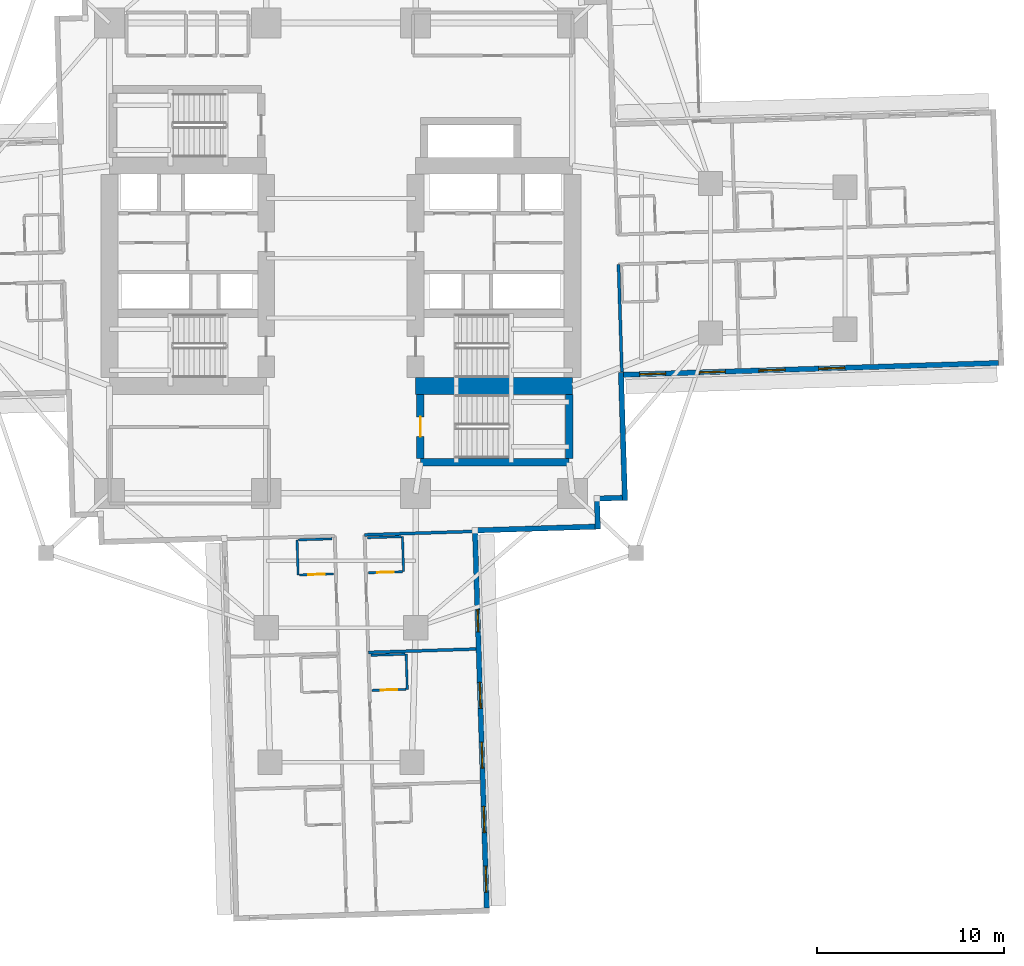
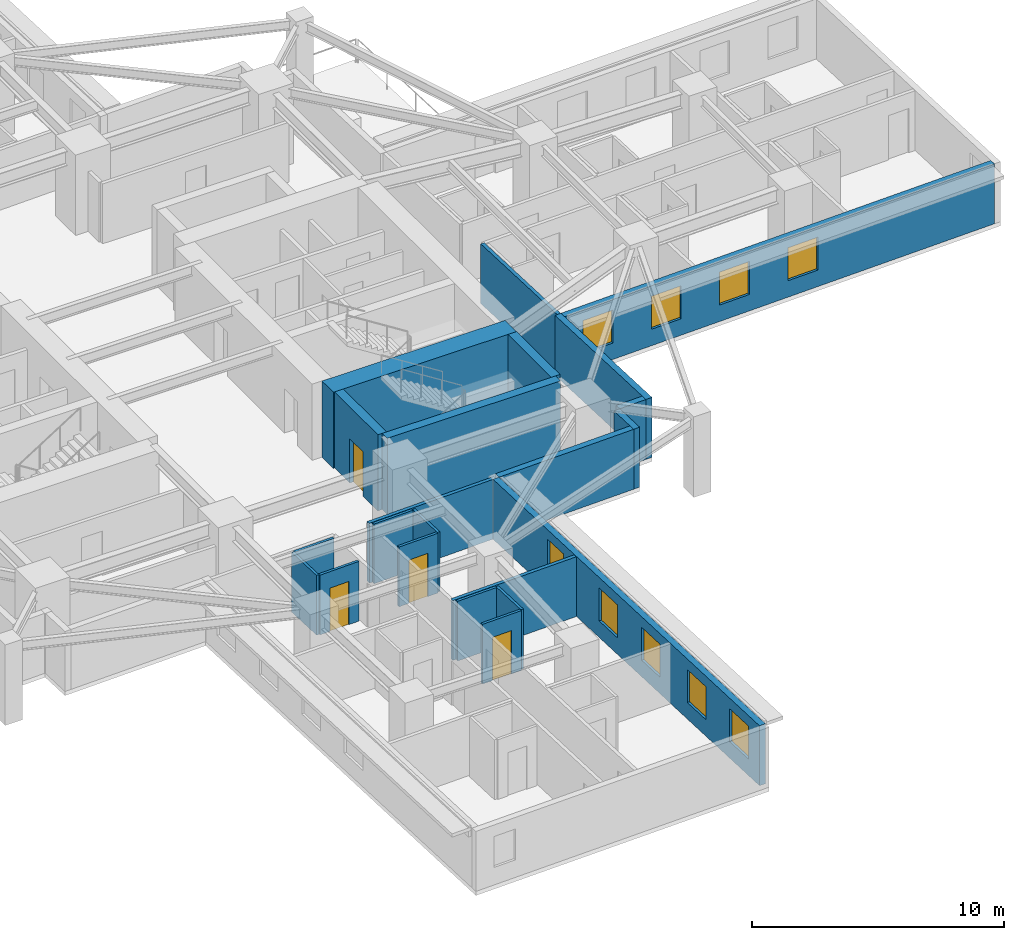
# One storey, part 4 of 15: 22 walls, 9 windows, 4 doors, 13 openings.
"""IFC4 building model written with IfcOpenShell, lengths in metres."""

from ifc_helpers import new_model, si_unit, direction, frame, frame_2d, origin, place, context, subcontext, project, spatial, rectangle, extrude, material, layer, layer_set, type_object, element, fill, save


model = new_model("IFC4")

# Units and contexts
model_context = context("Model", 3, precision=1e-05, world=origin(), true_north=direction((0.0, 1.0)))
body_context = subcontext(model_context, "Body", "Model", "MODEL_VIEW")
ifc_project = project(units=[si_unit("LENGTHUNIT", "METRE"), si_unit("AREAUNIT", "SQUARE_METRE"), si_unit("VOLUMEUNIT", "CUBIC_METRE"), si_unit("PLANEANGLEUNIT", "RADIAN"), si_unit("MASSUNIT", "GRAM", prefix="KILO")], contexts=[model_context])

# Site, building, storey
site_placement = place(None, origin())
site = spatial("IfcSite", under=ifc_project, at=site_placement, CompositionType="ELEMENT")
building_placement = place(site_placement, origin())
building = spatial("IfcBuilding", under=site, at=building_placement, Name="Qingluan Cross Belvedere", CompositionType="ELEMENT")
storey_placement = place(building_placement, frame((0.0, 0.0, 31.5)))
storey = spatial("IfcBuildingStorey", under=building, at=storey_placement, Name="L08", CompositionType="ELEMENT", Elevation=31.5)

# Wall
ifc_material_1 = material(Name="Concrete C50", Category="concrete")
ifc_layer_1 = layer(ifc_material_1, 0.449951171875, Name="CoreShearWall_450")
ifc_layer_set_1 = layer_set([ifc_layer_1], Name="Concrete C50")
wall_type_1 = type_object("IfcWallType", Name="CoreShearWall_450", PredefinedType="SHEAR", material=ifc_layer_set_1)
wall_1_placement = place(storey_placement, frame((4.260009765625, -10.93994140625, 0.0), z_axis=(0.0, 0.0, 1.0), x_axis=(1.0, 0.0, 0.0)))
element("IfcWall", 1, at=wall_1_placement, inside=storey, type_object=wall_type_1, Name="Stair ST4 structural wall S L08", PredefinedType="SHEAR", context=body_context, shape_type="SweptSolid", body=[
    extrude(rectangle(XDim=7.9599609375, YDim=0.39990234375, at=frame_2d((3.97998046875, 0.0))), origin(), (0.0, 0.0, 1.0), 3.699951171875),
])

# Wall, opening, door
wall_2_placement = place(storey_placement, frame((4.260009765625, -10.735107421875, 0.0), z_axis=(0.0, 0.0, 1.0), x_axis=(0.0, 1.0, 0.0)))
wall_2 = element("IfcWall", 2, at=wall_2_placement, inside=storey, type_object=wall_type_1, Name="Stair ST4 structural wall W L08", PredefinedType="SHEAR", context=body_context, shape_type="SweptSolid", body=[
    extrude(rectangle(XDim=3.43017578125, YDim=0.39990234375, at=frame_2d((1.715087890625, 0.0))), origin(), (0.0, 0.0, 1.0), 3.699951171875),
])
opening_1_placement = place(wall_2_placement, frame((1.18505859375, 0.0, 0.0)))
opening_1 = element("IfcOpeningElement", 3, at=opening_1_placement, cuts=wall_2, Name="Opening FD-B11", PredefinedType="OPENING", context=body_context, shape_type="SweptSolid", body=[
    extrude(rectangle(XDim=1.050048828125, YDim=2.14990234375, at=frame_2d((0.52490234375, 1.074951171875))), frame((0.0, 0.2099609375, 0.0), z_axis=(0.0, -1.0, 0.0), x_axis=(1.0, 0.0, 0.0)), (0.0, 0.0, 1.0), 0.419921875),
])
ifc_material_2 = material(Name="Steel Class B smoke-seal fire door", Category="steel")
door_type_1 = type_object("IfcDoorType", Name="StairLobbyFireDoor_FDB", OperationType="NOTDEFINED", PredefinedType="DOOR", material=ifc_material_2)
door_1_placement = place(opening_1_placement, origin())
door_1 = element("IfcDoor", 4, at=door_1_placement, inside=storey, type_object=door_type_1, Name="Smoke-proof stair ST4 fire door L08", OperationType="SINGLE_SWING_LEFT", OverallHeight=2.14990234375, OverallWidth=1.050048828125, PredefinedType="DOOR", context=body_context, shape_type="SweptSolid", body=[
    extrude(rectangle(XDim=1.050048828125, YDim=2.14990234375, at=frame_2d((0.52490234375, 1.074951171875))), frame((0.0, 0.02490234375, 0.0), z_axis=(0.0, -1.0, 0.0), x_axis=(1.0, 0.0, 0.0)), (0.0, 0.0, 1.0), 0.050048828125),
])
fill(opening_1, door_1)

# Walls
wall_3_placement = place(storey_placement, frame((12.219970703125, -10.735107421875, 0.0), z_axis=(0.0, 0.0, 1.0), x_axis=(0.0, 1.0, 0.0)))
element("IfcWall", 5, at=wall_3_placement, inside=storey, type_object=wall_type_1, Name="Stair ST4 structural wall E L08", PredefinedType="SHEAR", context=body_context, shape_type="SweptSolid", body=[
    extrude(rectangle(XDim=3.43017578125, YDim=0.39990234375, at=frame_2d((1.715087890625, 0.0))), origin(), (0.0, 0.0, 1.0), 3.699951171875),
])
ifc_material_3 = material(Name="Concrete C70", Category="concrete")
ifc_layer_2 = layer(ifc_material_3, 0.89990234375, Name="CoreShearWall_900")
ifc_layer_set_2 = layer_set([ifc_layer_2], Name="Concrete C70")
wall_type_2 = type_object("IfcWallType", Name="CoreShearWall_900", PredefinedType="SHEAR", material=ifc_layer_set_2)
wall_4_placement = place(storey_placement, frame((4.0, -6.85009765625, 0.0), z_axis=(0.0, 0.0, 1.0), x_axis=(1.0, 0.0, 0.0)))
element("IfcWall", 6, at=wall_4_placement, inside=storey, type_object=wall_type_2, Name="Split core E shear wall L08-S", PredefinedType="SHEAR", context=body_context, shape_type="SweptSolid", body=[
    extrude(rectangle(XDim=8.39990234375, YDim=0.89990234375, at=frame_2d((4.199951171875, 0.0))), origin(), (0.0, 0.0, 1.0), 3.699951171875),
])
ifc_material_4 = material(Name="Gypsum plasterboard on steel stud acoustic partition", Category="steel")
ifc_layer_3 = layer(ifc_material_4, 0.159912109375, Name="CorridorPartition_160")
ifc_layer_set_3 = layer_set([ifc_layer_3], Name="Gypsum plasterboard on steel stud acoustic partition")
wall_type_3 = type_object("IfcWallType", Name="CorridorPartition_160", PredefinedType="PARTITIONING", material=ifc_layer_set_3)
wall_5_placement = place(storey_placement, frame((14.867919921875, -0.333251953125, 0.0), z_axis=(0.0, 0.0, 1.0), x_axis=(0.031427548972, -0.999506032581, 0.0)))
element("IfcWall", 7, at=wall_5_placement, inside=storey, type_object=wall_type_3, Name="Partition L08:E:s1", PredefinedType="PARTITIONING", context=body_context, shape_type="SweptSolid", body=[
    extrude(rectangle(XDim=5.77197265625, YDim=0.159912109375, at=frame_2d((2.885986328125, 0.0))), origin(), (0.0, 0.0, 1.0), 2.89990234375),
])
wall_6_placement = place(storey_placement, frame((1.26611328125, -14.8173828125, 0.0), z_axis=(0.0, 0.0, 1.0), x_axis=(0.999507397699, 0.031384103385, 0.0)))
element("IfcWall", 8, at=wall_6_placement, inside=storey, type_object=wall_type_3, Name="Partition L08:S:s0", PredefinedType="PARTITIONING", context=body_context, shape_type="SweptSolid", body=[
    extrude(rectangle(XDim=5.919921875, YDim=0.159912109375, at=frame_2d((2.9599609375, 0.0))), origin(), (0.0, 0.0, 1.0), 2.89990234375),
])
wall_7_placement = place(storey_placement, frame((1.464111328125, -21.116455078125, 0.0), z_axis=(0.0, 0.0, 1.0), x_axis=(0.999506032581, 0.031427548972, 0.0)))
element("IfcWall", 9, at=wall_7_placement, inside=storey, type_object=wall_type_3, Name="Partition L08:S:d0_0", PredefinedType="PARTITIONING", context=body_context, shape_type="SweptSolid", body=[
    extrude(rectangle(XDim=5.77197265625, YDim=0.159912109375, at=frame_2d((2.885986328125, 0.0))), origin(), (0.0, 0.0, 1.0), 2.89990234375),
])

# Wall, opening, door
ifc_material_5 = material(Name="Moisture-resistant gypsum board lining")
ifc_layer_4 = layer(ifc_material_5, 0.1201171875, Name="EnsuiteWetPartition_120")
ifc_layer_set_4 = layer_set([ifc_layer_4], Name="Moisture-resistant gypsum board lining")
wall_type_4 = type_object("IfcWallType", Name="EnsuiteWetPartition_120", PredefinedType="PARTITIONING", material=ifc_layer_set_4)
wall_8_placement = place(storey_placement, frame((1.47021484375, -16.85205078125, 0.0), z_axis=(0.0, 0.0, 1.0), x_axis=(0.999507221803, 0.031389704724, 0.0)))
wall_8 = element("IfcWall", 10, at=wall_8_placement, inside=storey, type_object=wall_type_4, Name="Partition L08:S:bs0_0", PredefinedType="PARTITIONING", context=body_context, shape_type="SweptSolid", body=[
    extrude(rectangle(XDim=1.820068359375, YDim=0.1201171875, at=frame_2d((0.91015625, 0.0))), origin(), (0.0, 0.0, 1.0), 2.89990234375),
])
opening_2_placement = place(wall_8_placement, frame((0.469970703125, 0.0, 0.0)))
opening_2 = element("IfcOpeningElement", 11, at=opening_2_placement, cuts=wall_8, Name="Opening BD-09", PredefinedType="OPENING", context=body_context, shape_type="SweptSolid", body=[
    extrude(rectangle(XDim=0.8798828125, YDim=2.10009765625, at=frame_2d((0.43994140625, 1.050048828125))), frame((0.0, 0.070068359375, 0.0), z_axis=(0.0, -1.0, 0.0), x_axis=(1.0, 0.0, 0.0)), (0.0, 0.0, 1.0), 0.14013671875),
])
ifc_material_6 = material(Name="Moisture-sealed timber en-suite door", Category="wood")
door_type_2 = type_object("IfcDoorType", Name="BathroomDoor_880", OperationType="NOTDEFINED", PredefinedType="DOOR", material=ifc_material_6)
door_2_placement = place(opening_2_placement, origin())
door_2 = element("IfcDoor", 12, at=door_2_placement, inside=storey, type_object=door_type_2, Name="Bathroom door 0819", OperationType="SINGLE_SWING_RIGHT", OverallHeight=2.10009765625, OverallWidth=0.8798828125, PredefinedType="DOOR", context=body_context, shape_type="SweptSolid", body=[
    extrude(rectangle(XDim=0.8798828125, YDim=2.10009765625, at=frame_2d((0.43994140625, 1.050048828125))), frame((0.0, 0.02490234375, 0.0), z_axis=(0.0, -1.0, 0.0), x_axis=(1.0, 0.0, 0.0)), (0.0, 0.0, 1.0), 0.050048828125),
])
fill(opening_2, door_2)

# Walls
wall_9_placement = place(storey_placement, frame((1.410888671875, -14.97314453125, 0.0), z_axis=(0.0, 0.0, 1.0), x_axis=(0.999507221803, 0.031389704724, 0.0)))
element("IfcWall", 13, at=wall_9_placement, inside=storey, type_object=wall_type_4, Name="Partition L08:S:bw0_0", PredefinedType="PARTITIONING", context=body_context, shape_type="SweptSolid", body=[
    extrude(rectangle(XDim=1.820068359375, YDim=0.1201171875, at=frame_2d((0.91015625, 0.0))), origin(), (0.0, 0.0, 1.0), 2.89990234375),
])
wall_10_placement = place(storey_placement, frame((3.295166015625, -14.913818359375, 0.0), z_axis=(0.0, 0.0, 1.0), x_axis=(0.031295563454, -0.999510173889, 0.0)))
element("IfcWall", 14, at=wall_10_placement, inside=storey, type_object=wall_type_4, Name="Partition L08:S:bn0_0", PredefinedType="PARTITIONING", context=body_context, shape_type="SweptSolid", body=[
    extrude(rectangle(XDim=1.880126953125, YDim=0.1201171875, at=frame_2d((0.93994140625, 0.0))), origin(), (0.0, 0.0, 1.0), 2.89990234375),
])

# Wall, opening, door
wall_11_placement = place(storey_placement, frame((1.66796875, -23.15087890625, 0.0), z_axis=(0.0, 0.0, 1.0), x_axis=(0.999511421504, 0.031255692016, 0.0)))
wall_11 = element("IfcWall", 15, at=wall_11_placement, inside=storey, type_object=wall_type_4, Name="Partition L08:S:bs0_1", PredefinedType="PARTITIONING", context=body_context, shape_type="SweptSolid", body=[
    extrude(rectangle(XDim=1.820068359375, YDim=0.1201171875, at=frame_2d((0.91015625, 0.0))), origin(), (0.0, 0.0, 1.0), 2.89990234375),
])
opening_3_placement = place(wall_11_placement, frame((0.469970703125, 0.0, 0.0)))
opening_3 = element("IfcOpeningElement", 16, at=opening_3_placement, cuts=wall_11, Name="Opening BD-09", PredefinedType="OPENING", context=body_context, shape_type="SweptSolid", body=[
    extrude(rectangle(XDim=0.8798828125, YDim=2.10009765625, at=frame_2d((0.43994140625, 1.050048828125))), frame((0.0, 0.070068359375, 0.0), z_axis=(0.0, -1.0, 0.0), x_axis=(1.0, 0.0, 0.0)), (0.0, 0.0, 1.0), 0.14013671875),
])
door_3_placement = place(opening_3_placement, origin())
door_3 = element("IfcDoor", 17, at=door_3_placement, inside=storey, type_object=door_type_2, Name="Bathroom door 0820", OperationType="SINGLE_SWING_RIGHT", OverallHeight=2.10009765625, OverallWidth=0.8798828125, PredefinedType="DOOR", context=body_context, shape_type="SweptSolid", body=[
    extrude(rectangle(XDim=0.8798828125, YDim=2.10009765625, at=frame_2d((0.43994140625, 1.050048828125))), frame((0.0, 0.02490234375, 0.0), z_axis=(0.0, -1.0, 0.0), x_axis=(1.0, 0.0, 0.0)), (0.0, 0.0, 1.0), 0.050048828125),
])
fill(opening_3, door_3)

# Walls
wall_12_placement = place(storey_placement, frame((1.60888671875, -21.27197265625, 0.0), z_axis=(0.0, 0.0, 1.0), x_axis=(0.999507221803, 0.031389704724, 0.0)))
element("IfcWall", 18, at=wall_12_placement, inside=storey, type_object=wall_type_4, Name="Partition L08:S:bw0_1", PredefinedType="PARTITIONING", context=body_context, shape_type="SweptSolid", body=[
    extrude(rectangle(XDim=1.820068359375, YDim=0.1201171875, at=frame_2d((0.91015625, 0.0))), origin(), (0.0, 0.0, 1.0), 2.89990234375),
])
wall_13_placement = place(storey_placement, frame((3.492919921875, -21.212646484375, 0.0), z_axis=(0.0, 0.0, 1.0), x_axis=(0.031425292588, -0.999506103526, 0.0)))
element("IfcWall", 19, at=wall_13_placement, inside=storey, type_object=wall_type_4, Name="Partition L08:S:bn0_1", PredefinedType="PARTITIONING", context=body_context, shape_type="SweptSolid", body=[
    extrude(rectangle(XDim=1.880126953125, YDim=0.1201171875, at=frame_2d((0.93994140625, 0.0))), origin(), (0.0, 0.0, 1.0), 2.89990234375),
])

# Wall, opening, door
wall_14_placement = place(storey_placement, frame((-2.22802734375, -16.968505859375, 0.0), z_axis=(0.0, 0.0, 1.0), x_axis=(0.999503004171, 0.03152371574, 0.0)))
wall_14 = element("IfcWall", 20, at=wall_14_placement, inside=storey, type_object=wall_type_4, Name="Partition L08:S:bs1_0", PredefinedType="PARTITIONING", context=body_context, shape_type="SweptSolid", body=[
    extrude(rectangle(XDim=1.820068359375, YDim=0.1201171875, at=frame_2d((0.91015625, 0.0))), origin(), (0.0, 0.0, 1.0), 2.89990234375),
])
opening_4_placement = place(wall_14_placement, frame((0.469970703125, 0.0, 0.0)))
opening_4 = element("IfcOpeningElement", 21, at=opening_4_placement, cuts=wall_14, Name="Opening BD-09", PredefinedType="OPENING", context=body_context, shape_type="SweptSolid", body=[
    extrude(rectangle(XDim=0.8798828125, YDim=2.10009765625, at=frame_2d((0.43994140625, 1.050048828125))), frame((0.0, 0.070068359375, 0.0), z_axis=(0.0, -1.0, 0.0), x_axis=(1.0, 0.0, 0.0)), (0.0, 0.0, 1.0), 0.14013671875),
])
door_4_placement = place(opening_4_placement, origin())
door_4 = element("IfcDoor", 22, at=door_4_placement, inside=storey, type_object=door_type_2, Name="Bathroom door 0822", OperationType="SINGLE_SWING_RIGHT", OverallHeight=2.10009765625, OverallWidth=0.8798828125, PredefinedType="DOOR", context=body_context, shape_type="SweptSolid", body=[
    extrude(rectangle(XDim=0.8798828125, YDim=2.10009765625, at=frame_2d((0.43994140625, 1.050048828125))), frame((0.0, 0.02490234375, 0.0), z_axis=(0.0, -1.0, 0.0), x_axis=(1.0, 0.0, 0.0)), (0.0, 0.0, 1.0), 0.050048828125),
])
fill(opening_4, door_4)

# Walls
wall_15_placement = place(storey_placement, frame((-2.287109375, -15.08935546875, 0.0), z_axis=(0.0, 0.0, 1.0), x_axis=(0.999503004171, 0.03152371574, 0.0)))
element("IfcWall", 23, at=wall_15_placement, inside=storey, type_object=wall_type_4, Name="Partition L08:S:bw1_0", PredefinedType="PARTITIONING", context=body_context, shape_type="SweptSolid", body=[
    extrude(rectangle(XDim=1.820068359375, YDim=0.1201171875, at=frame_2d((0.91015625, 0.0))), origin(), (0.0, 0.0, 1.0), 2.89990234375),
])
wall_16_placement = place(storey_placement, frame((-2.35205078125, -15.09130859375, 0.0), z_axis=(0.0, 0.0, 1.0), x_axis=(0.031295563454, -0.999510173889, 0.0)))
element("IfcWall", 24, at=wall_16_placement, inside=storey, type_object=wall_type_4, Name="Partition L08:S:bc1_0", PredefinedType="PARTITIONING", context=body_context, shape_type="SweptSolid", body=[
    extrude(rectangle(XDim=1.880126953125, YDim=0.1201171875, at=frame_2d((0.93994140625, 0.0))), origin(), (0.0, 0.0, 1.0), 2.89990234375),
])

# Wall, openings, windows
ifc_material_7 = material(Name="Precast concrete C45", Category="concrete")
ifc_layer_5 = layer(ifc_material_7, 0.280029296875, Name="PrecastFacadeWall_280")
ifc_layer_set_5 = layer_set([ifc_layer_5], Name="Precast concrete C45")
wall_type_5 = type_object("IfcWallType", Name="PrecastFacadeWall_280", PredefinedType="STANDARD", material=ifc_layer_set_5)
wall_17_placement = place(storey_placement, frame((15.143798828125, -6.247314453125, 0.0), z_axis=(0.0, 0.0, 1.0), x_axis=(0.999506955354, 0.031398187845, 0.0)))
wall_17 = element("IfcWall", 25, at=wall_17_placement, inside=storey, type_object=wall_type_5, Name="Facade wall L08-EA", PredefinedType="STANDARD", context=body_context, shape_type="SweptSolid", body=[
    extrude(rectangle(XDim=20.10009765625, YDim=0.280029296875, at=frame_2d((10.050048828125, 0.0))), origin(), (0.0, 0.0, 1.0), 2.909912109375),
])
opening_5_placement = place(wall_17_placement, frame((0.85009765625, 0.0, 0.800048828125)))
opening_5 = element("IfcOpeningElement", 26, at=opening_5_placement, cuts=wall_17, Name="Opening W-01", PredefinedType="OPENING", context=body_context, shape_type="SweptSolid", body=[
    extrude(rectangle(XDim=1.39990234375, YDim=1.60009765625, at=frame_2d((0.699951171875, 0.800048828125))), frame((0.0, 0.14990234375, 0.0), z_axis=(0.0, -1.0, 0.0), x_axis=(1.0, 0.0, 0.0)), (0.0, 0.0, 1.0), 0.300048828125),
])
opening_6_placement = place(wall_17_placement, frame((4.050048828125, 0.0, 0.800048828125)))
opening_6 = element("IfcOpeningElement", 27, at=opening_6_placement, cuts=wall_17, Name="Opening W-01", PredefinedType="OPENING", context=body_context, shape_type="SweptSolid", body=[
    extrude(rectangle(XDim=1.39990234375, YDim=1.60009765625, at=frame_2d((0.699951171875, 0.800048828125))), frame((0.0, 0.14990234375, 0.0), z_axis=(0.0, -1.0, 0.0), x_axis=(1.0, 0.0, 0.0)), (0.0, 0.0, 1.0), 0.300048828125),
])
opening_7_placement = place(wall_17_placement, frame((7.25, 0.0, 0.800048828125)))
opening_7 = element("IfcOpeningElement", 28, at=opening_7_placement, cuts=wall_17, Name="Opening W-01", PredefinedType="OPENING", context=body_context, shape_type="SweptSolid", body=[
    extrude(rectangle(XDim=1.39990234375, YDim=1.60009765625, at=frame_2d((0.699951171875, 0.800048828125))), frame((0.0, 0.14990234375, 0.0), z_axis=(0.0, -1.0, 0.0), x_axis=(1.0, 0.0, 0.0)), (0.0, 0.0, 1.0), 0.300048828125),
])
opening_8_placement = place(wall_17_placement, frame((10.449951171875, 0.0, 0.800048828125)))
opening_8 = element("IfcOpeningElement", 29, at=opening_8_placement, cuts=wall_17, Name="Opening W-01", PredefinedType="OPENING", context=body_context, shape_type="SweptSolid", body=[
    extrude(rectangle(XDim=1.39990234375, YDim=1.60009765625, at=frame_2d((0.699951171875, 0.800048828125))), frame((0.0, 0.14990234375, 0.0), z_axis=(0.0, -1.0, 0.0), x_axis=(1.0, 0.0, 0.0)), (0.0, 0.0, 1.0), 0.300048828125),
])
ifc_material_8 = material(Name="Thermally broken triple Low-E glass in aluminium frame", Category="aluminium")
window_type_1 = type_object("IfcWindowType", Name="TriRibbonWin_1400x1600", PartitioningType="SINGLE_PANEL", PredefinedType="WINDOW", material=ifc_material_8)
window_1_placement = place(opening_5_placement, origin())
window_1 = element("IfcWindow", 30, at=window_1_placement, inside=storey, type_object=window_type_1, Name="Ribbon window L08-EA-1", OverallHeight=1.60009765625, OverallWidth=1.39990234375, PartitioningType="SINGLE_PANEL", PredefinedType="WINDOW", context=body_context, shape_type="SweptSolid", body=[
    extrude(rectangle(XDim=1.39990234375, YDim=1.60009765625, at=frame_2d((0.699951171875, 0.800048828125))), frame((0.0, 0.030029296875, 0.0), z_axis=(0.0, -1.0, 0.0), x_axis=(1.0, 0.0, 0.0)), (0.0, 0.0, 1.0), 0.06005859375),
])
fill(opening_5, window_1)
window_2_placement = place(opening_6_placement, origin())
window_2 = element("IfcWindow", 31, at=window_2_placement, inside=storey, type_object=window_type_1, Name="Ribbon window L08-EA-2", OverallHeight=1.60009765625, OverallWidth=1.39990234375, PartitioningType="SINGLE_PANEL", PredefinedType="WINDOW", context=body_context, shape_type="SweptSolid", body=[
    extrude(rectangle(XDim=1.39990234375, YDim=1.60009765625, at=frame_2d((0.699951171875, 0.800048828125))), frame((0.0, 0.030029296875, 0.0), z_axis=(0.0, -1.0, 0.0), x_axis=(1.0, 0.0, 0.0)), (0.0, 0.0, 1.0), 0.06005859375),
])
fill(opening_6, window_2)
window_3_placement = place(opening_7_placement, origin())
window_3 = element("IfcWindow", 32, at=window_3_placement, inside=storey, type_object=window_type_1, Name="Ribbon window L08-EA-3", OverallHeight=1.60009765625, OverallWidth=1.39990234375, PartitioningType="SINGLE_PANEL", PredefinedType="WINDOW", context=body_context, shape_type="SweptSolid", body=[
    extrude(rectangle(XDim=1.39990234375, YDim=1.60009765625, at=frame_2d((0.699951171875, 0.800048828125))), frame((0.0, 0.030029296875, 0.0), z_axis=(0.0, -1.0, 0.0), x_axis=(1.0, 0.0, 0.0)), (0.0, 0.0, 1.0), 0.06005859375),
])
fill(opening_7, window_3)
window_4_placement = place(opening_8_placement, origin())
window_4 = element("IfcWindow", 33, at=window_4_placement, inside=storey, type_object=window_type_1, Name="Ribbon window L08-EA-4", OverallHeight=1.60009765625, OverallWidth=1.39990234375, PartitioningType="SINGLE_PANEL", PredefinedType="WINDOW", context=body_context, shape_type="SweptSolid", body=[
    extrude(rectangle(XDim=1.39990234375, YDim=1.60009765625, at=frame_2d((0.699951171875, 0.800048828125))), frame((0.0, 0.030029296875, 0.0), z_axis=(0.0, -1.0, 0.0), x_axis=(1.0, 0.0, 0.0)), (0.0, 0.0, 1.0), 0.06005859375),
])
fill(opening_8, window_4)

wall_18_placement = place(storey_placement, frame((7.8173828125, -34.8115234375, 0.0), z_axis=(0.0, 0.0, 1.0), x_axis=(-0.031410322165, 0.999506574096, 0.0)))
wall_18 = element("IfcWall", 34, at=wall_18_placement, inside=storey, type_object=wall_type_5, Name="Facade wall L08-SB", PredefinedType="STANDARD", context=body_context, shape_type="SweptSolid", body=[
    extrude(rectangle(XDim=20.10009765625, YDim=0.280029296875, at=frame_2d((10.050048828125, 0.0))), origin(), (0.0, 0.0, 1.0), 2.909912109375),
])
opening_9_placement = place(wall_18_placement, frame((0.85009765625, 0.0, 0.800048828125)))
opening_9 = element("IfcOpeningElement", 35, at=opening_9_placement, cuts=wall_18, Name="Opening W-01", PredefinedType="OPENING", context=body_context, shape_type="SweptSolid", body=[
    extrude(rectangle(XDim=1.39990234375, YDim=1.60009765625, at=frame_2d((0.699951171875, 0.800048828125))), frame((0.0, 0.14990234375, 0.0), z_axis=(0.0, -1.0, 0.0), x_axis=(1.0, 0.0, 0.0)), (0.0, 0.0, 1.0), 0.300048828125),
])
opening_10_placement = place(wall_18_placement, frame((4.050048828125, 0.0, 0.800048828125)))
opening_10 = element("IfcOpeningElement", 36, at=opening_10_placement, cuts=wall_18, Name="Opening W-01", PredefinedType="OPENING", context=body_context, shape_type="SweptSolid", body=[
    extrude(rectangle(XDim=1.39990234375, YDim=1.60009765625, at=frame_2d((0.699951171875, 0.800048828125))), frame((0.0, 0.14990234375, 0.0), z_axis=(0.0, -1.0, 0.0), x_axis=(1.0, 0.0, 0.0)), (0.0, 0.0, 1.0), 0.300048828125),
])
opening_11_placement = place(wall_18_placement, frame((7.5, 0.0, 0.800048828125)))
opening_11 = element("IfcOpeningElement", 37, at=opening_11_placement, cuts=wall_18, Name="Opening W-01", PredefinedType="OPENING", context=body_context, shape_type="SweptSolid", body=[
    extrude(rectangle(XDim=1.39990234375, YDim=1.60009765625, at=frame_2d((0.699951171875, 0.800048828125))), frame((0.0, 0.14990234375, 0.0), z_axis=(0.0, -1.0, 0.0), x_axis=(1.0, 0.0, 0.0)), (0.0, 0.0, 1.0), 0.300048828125),
])
opening_12_placement = place(wall_18_placement, frame((10.699951171875, 0.0, 0.800048828125)))
opening_12 = element("IfcOpeningElement", 38, at=opening_12_placement, cuts=wall_18, Name="Opening W-01", PredefinedType="OPENING", context=body_context, shape_type="SweptSolid", body=[
    extrude(rectangle(XDim=1.39990234375, YDim=1.60009765625, at=frame_2d((0.699951171875, 0.800048828125))), frame((0.0, 0.14990234375, 0.0), z_axis=(0.0, -1.0, 0.0), x_axis=(1.0, 0.0, 0.0)), (0.0, 0.0, 1.0), 0.300048828125),
])
opening_13_placement = place(wall_18_placement, frame((14.799072265625, 0.0, 0.85009765625)))
opening_13 = element("IfcOpeningElement", 39, at=opening_13_placement, cuts=wall_18, Name="Opening W-02", PredefinedType="OPENING", context=body_context, shape_type="SweptSolid", body=[
    extrude(rectangle(XDim=1.199951171875, YDim=1.60009765625, at=frame_2d((0.60009765625, 0.800048828125))), frame((0.0, 0.14990234375, 0.0), z_axis=(0.0, -1.0, 0.0), x_axis=(1.0, 0.0, 0.0)), (0.0, 0.0, 1.0), 0.300048828125),
])
ifc_material_9 = material(Name="Thermally broken triple Low-E glass in aluminium frame", Category="aluminium")
window_type_2 = type_object("IfcWindowType", Name="TriRibbonWin_1200x1600", PartitioningType="SINGLE_PANEL", PredefinedType="WINDOW", material=ifc_material_9)
window_5_placement = place(opening_13_placement, origin())
window_5 = element("IfcWindow", 40, at=window_5_placement, inside=storey, type_object=window_type_2, Name="Deluxe guest room 0819 daylight window", OverallHeight=1.60009765625, OverallWidth=1.199951171875, PartitioningType="SINGLE_PANEL", PredefinedType="WINDOW", context=body_context, shape_type="SweptSolid", body=[
    extrude(rectangle(XDim=1.199951171875, YDim=1.60009765625, at=frame_2d((0.60009765625, 0.800048828125))), frame((0.0, 0.030029296875, 0.0), z_axis=(0.0, -1.0, 0.0), x_axis=(1.0, 0.0, 0.0)), (0.0, 0.0, 1.0), 0.06005859375),
])
fill(opening_13, window_5)
window_6_placement = place(opening_9_placement, origin())
window_6 = element("IfcWindow", 41, at=window_6_placement, inside=storey, type_object=window_type_1, Name="Ribbon window L08-SB-1", OverallHeight=1.60009765625, OverallWidth=1.39990234375, PartitioningType="SINGLE_PANEL", PredefinedType="WINDOW", context=body_context, shape_type="SweptSolid", body=[
    extrude(rectangle(XDim=1.39990234375, YDim=1.60009765625, at=frame_2d((0.699951171875, 0.800048828125))), frame((0.0, 0.030029296875, 0.0), z_axis=(0.0, -1.0, 0.0), x_axis=(1.0, 0.0, 0.0)), (0.0, 0.0, 1.0), 0.06005859375),
])
fill(opening_9, window_6)
window_7_placement = place(opening_10_placement, origin())
window_7 = element("IfcWindow", 42, at=window_7_placement, inside=storey, type_object=window_type_1, Name="Ribbon window L08-SB-2", OverallHeight=1.60009765625, OverallWidth=1.39990234375, PartitioningType="SINGLE_PANEL", PredefinedType="WINDOW", context=body_context, shape_type="SweptSolid", body=[
    extrude(rectangle(XDim=1.39990234375, YDim=1.60009765625, at=frame_2d((0.699951171875, 0.800048828125))), frame((0.0, 0.030029296875, 0.0), z_axis=(0.0, -1.0, 0.0), x_axis=(1.0, 0.0, 0.0)), (0.0, 0.0, 1.0), 0.06005859375),
])
fill(opening_10, window_7)
window_8_placement = place(opening_11_placement, origin())
window_8 = element("IfcWindow", 43, at=window_8_placement, inside=storey, type_object=window_type_1, Name="Ribbon window L08-SB-3", OverallHeight=1.60009765625, OverallWidth=1.39990234375, PartitioningType="SINGLE_PANEL", PredefinedType="WINDOW", context=body_context, shape_type="SweptSolid", body=[
    extrude(rectangle(XDim=1.39990234375, YDim=1.60009765625, at=frame_2d((0.699951171875, 0.800048828125))), frame((0.0, 0.030029296875, 0.0), z_axis=(0.0, -1.0, 0.0), x_axis=(1.0, 0.0, 0.0)), (0.0, 0.0, 1.0), 0.06005859375),
])
fill(opening_11, window_8)
window_9_placement = place(opening_12_placement, origin())
window_9 = element("IfcWindow", 44, at=window_9_placement, inside=storey, type_object=window_type_1, Name="Ribbon window L08-SB-4", OverallHeight=1.60009765625, OverallWidth=1.39990234375, PartitioningType="SINGLE_PANEL", PredefinedType="WINDOW", context=body_context, shape_type="SweptSolid", body=[
    extrude(rectangle(XDim=1.39990234375, YDim=1.60009765625, at=frame_2d((0.699951171875, 0.800048828125))), frame((0.0, 0.030029296875, 0.0), z_axis=(0.0, -1.0, 0.0), x_axis=(1.0, 0.0, 0.0)), (0.0, 0.0, 1.0), 0.06005859375),
])
fill(opening_12, window_9)

# Walls
wall_19_placement = place(storey_placement, frame((14.99951171875, -6.11181640625, 0.0), z_axis=(0.0, 0.0, 1.0), x_axis=(0.031389189386, -0.999507237988, 0.0)))
element("IfcWall", 45, at=wall_19_placement, inside=storey, type_object=wall_type_5, Name="Corner wall L08-SE1", PredefinedType="STANDARD", context=body_context, shape_type="SweptSolid", body=[
    extrude(rectangle(XDim=6.860107421875, YDim=0.280029296875, at=frame_2d((3.43017578125, 0.0))), origin(), (0.0, 0.0, 1.0), 2.909912109375),
])
wall_20_placement = place(storey_placement, frame((15.070556640625, -12.8330078125, 0.0), z_axis=(0.0, 0.0, 1.0), x_axis=(-0.999506398264, -0.031415916822, 0.0)))
element("IfcWall", 46, at=wall_20_placement, inside=storey, type_object=wall_type_5, Name="Corner wall L08-SE2", PredefinedType="STANDARD", context=body_context, shape_type="SweptSolid", body=[
    extrude(rectangle(XDim=1.219970703125, YDim=0.280029296875, at=frame_2d((0.60986328125, 0.0))), origin(), (0.0, 0.0, 1.0), 2.909912109375),
])
wall_21_placement = place(storey_placement, frame((13.715576171875, -13.015625, 0.0), z_axis=(0.0, 0.0, 1.0), x_axis=(0.031412596484, -0.999506502621, 0.0)))
element("IfcWall", 47, at=wall_21_placement, inside=storey, type_object=wall_type_5, Name="Corner wall L08-SE3", PredefinedType="STANDARD", context=body_context, shape_type="SweptSolid", body=[
    extrude(rectangle(XDim=1.5, YDim=0.280029296875, at=frame_2d((0.75, 0.0))), origin(), (0.0, 0.0, 1.0), 2.909912109375),
])
wall_22_placement = place(storey_placement, frame((13.618408203125, -14.37939453125, 0.0), z_axis=(0.0, 0.0, 1.0), x_axis=(-0.999507224741, -0.031389611199, 0.0)))
element("IfcWall", 48, at=wall_22_placement, inside=storey, type_object=wall_type_5, Name="Corner wall L08-SE4", PredefinedType="STANDARD", context=body_context, shape_type="SweptSolid", body=[
    extrude(rectangle(XDim=6.300048828125, YDim=0.280029296875, at=frame_2d((3.14990234375, 0.0))), origin(), (0.0, 0.0, 1.0), 2.909912109375),
])

save(model, "model.ifc")
